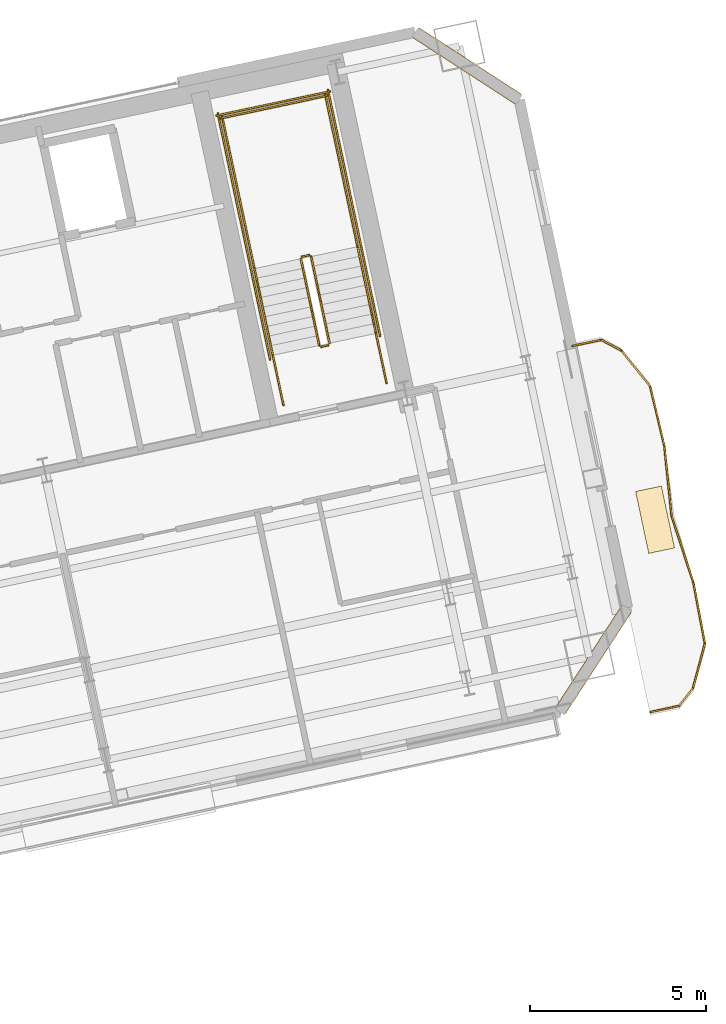
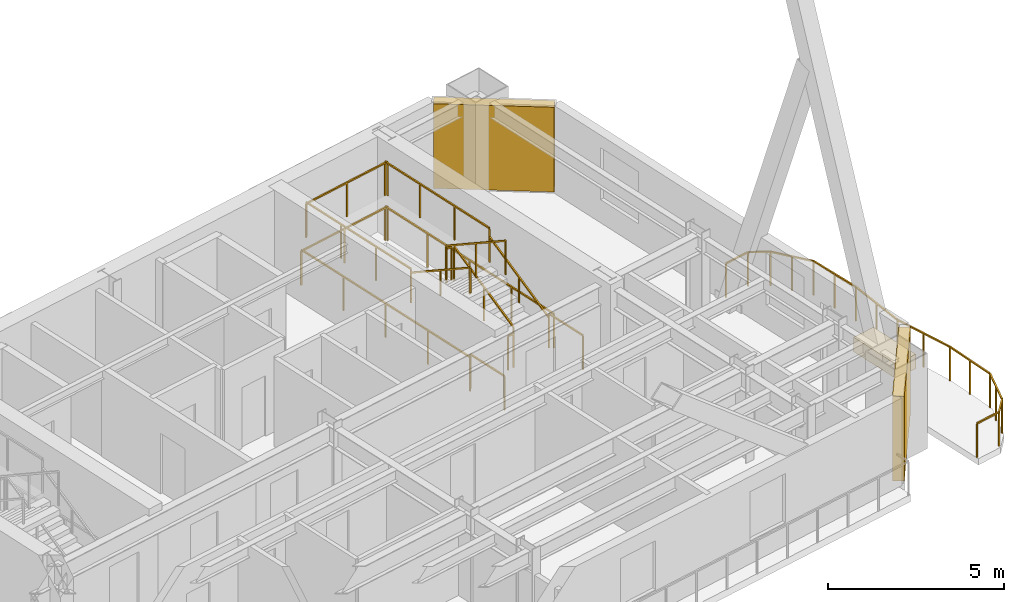
# One storey, part 20 of 20: 24 railings, 2 shading devices, 1 covering.
"""IFC4 building model written with IfcOpenShell, lengths in metres."""

from ifc_helpers import new_model, si_unit, direction, frame, origin, origin_2d, place, context, subcontext, project, spatial, rectangle, extrude, material, layer, layer_set, type_object, element, save


model = new_model("IFC4")

# Units and contexts
model_context = context("Model", 3, precision=1e-05, world=origin(), true_north=direction((0.0, 1.0)))
body_context = subcontext(model_context, "Body", "Model", "MODEL_VIEW")
ifc_project = project(units=[si_unit("LENGTHUNIT", "METRE"), si_unit("AREAUNIT", "SQUARE_METRE"), si_unit("VOLUMEUNIT", "CUBIC_METRE"), si_unit("PLANEANGLEUNIT", "RADIAN"), si_unit("MASSUNIT", "GRAM", prefix="KILO")], contexts=[model_context])

# Site, building, storey
site_placement = place(None, origin())
site = spatial("IfcSite", under=ifc_project, at=site_placement, CompositionType="ELEMENT")
building_placement = place(site_placement, origin())
building = spatial("IfcBuilding", under=site, at=building_placement, Name="Haevon Station Towers", CompositionType="ELEMENT")
storey_placement = place(building_placement, frame((0.0, 0.0, 175.800048828125)))
storey = spatial("IfcBuildingStorey", under=building, at=storey_placement, Name="L48", CompositionType="ELEMENT", Elevation=175.800048828125)

# Railings
ifc_material_1 = material(Name="Steel S355", Category="steel")
railing_type_1 = type_object("IfcRailingType", Name="GRD-EXT1200", PredefinedType="GUARDRAIL", material=ifc_material_1)
railing_1_placement = place(storey_placement, frame((126.25244140625, 32.750244140625, 0.0)))
element("IfcRailing", 1, at=railing_1_placement, inside=storey, type_object=railing_type_1, Name="L48 Perimeter Guardrail 1", PredefinedType="GUARDRAIL", context=body_context, shape_type="SweptSolid", body=[
    extrude(rectangle(XDim=0.048095703125, YDim=0.048095703125, at=origin_2d()), frame((0.0, 0.0, 1.17578125), z_axis=(0.977678572445, 0.210106185017, 0.0), x_axis=(-0.210106185017, 0.977678572445, 0.0)), (0.0, 0.0, 1.0), 0.837890625),
    extrude(rectangle(XDim=0.0419921875, YDim=0.0419921875, at=origin_2d()), origin(), (0.0, 0.0, 1.0), 1.15185546875),
    extrude(rectangle(XDim=0.0419921875, YDim=0.0419921875, at=origin_2d()), frame((0.819091796875, 0.176025390625, 0.0)), (0.0, 0.0, 1.0), 1.15185546875),
])
railing_2_placement = place(storey_placement, frame((127.071533203125, 32.92626953125, 0.0)))
element("IfcRailing", 2, at=railing_2_placement, inside=storey, type_object=railing_type_1, Name="L48 Perimeter Guardrail 2", PredefinedType="GUARDRAIL", context=body_context, shape_type="SweptSolid", body=[
    extrude(rectangle(XDim=0.048095703125, YDim=0.048095703125, at=origin_2d()), frame((0.0, 0.0, 1.17578125), z_axis=(0.616102641883, 0.787665877555, 0.0), x_axis=(-0.787665877555, 0.616102641883, 0.0)), (0.0, 0.0, 1.0), 0.640380859375),
    extrude(rectangle(XDim=0.0419921875, YDim=0.0419921875, at=origin_2d()), origin(), (0.0, 0.0, 1.0), 1.15185546875),
    extrude(rectangle(XDim=0.0419921875, YDim=0.0419921875, at=origin_2d()), frame((0.39453125, 0.50439453125, 0.0)), (0.0, 0.0, 1.0), 1.15185546875),
])
railing_3_placement = place(storey_placement, frame((127.466064453125, 33.4306640625, 0.0)))
element("IfcRailing", 3, at=railing_3_placement, inside=storey, type_object=railing_type_1, Name="L48 Perimeter Guardrail 3", PredefinedType="GUARDRAIL", context=body_context, shape_type="SweptSolid", body=[
    extrude(rectangle(XDim=0.048095703125, YDim=0.048095703125, at=origin_2d()), frame((0.0, 0.0, 1.17578125), z_axis=(0.256967200825, 0.966420124842, 0.0), x_axis=(-0.966420124842, 0.256967200825, 0.0)), (0.0, 0.0, 1.0), 1.31103515625),
    extrude(rectangle(XDim=0.0419921875, YDim=0.0419921875, at=origin_2d()), origin(), (0.0, 0.0, 1.0), 1.15185546875),
    extrude(rectangle(XDim=0.0419921875, YDim=0.0419921875, at=origin_2d()), frame((0.16845703125, 0.633544921875, 0.0)), (0.0, 0.0, 1.0), 1.15185546875),
    extrude(rectangle(XDim=0.0419921875, YDim=0.0419921875, at=origin_2d()), frame((0.3369140625, 1.26708984375, 0.0)), (0.0, 0.0, 1.0), 1.15185546875),
])
railing_4_placement = place(storey_placement, frame((127.802978515625, 34.69775390625, 0.0)))
element("IfcRailing", 4, at=railing_4_placement, inside=storey, type_object=railing_type_1, Name="L48 Perimeter Guardrail 4", PredefinedType="GUARDRAIL", context=body_context, shape_type="SweptSolid", body=[
    extrude(rectangle(XDim=0.048095703125, YDim=0.048095703125, at=origin_2d()), frame((0.0, 0.0, 1.17578125), z_axis=(-0.185072185198, 0.982724929096, 0.0), x_axis=(-0.982724929096, -0.185072185198, 0.0)), (0.0, 0.0, 1.0), 1.749267578125),
    extrude(rectangle(XDim=0.0419921875, YDim=0.0419921875, at=origin_2d()), origin(), (0.0, 0.0, 1.0), 1.15185546875),
    extrude(rectangle(XDim=0.0419921875, YDim=0.0419921875, at=origin_2d()), frame((-0.161865234375, 0.859375, 0.0)), (0.0, 0.0, 1.0), 1.15185546875),
    extrude(rectangle(XDim=0.0419921875, YDim=0.0419921875, at=origin_2d()), frame((-0.32373046875, 1.718994140625, 0.0)), (0.0, 0.0, 1.0), 1.15185546875),
])
railing_5_placement = place(storey_placement, frame((127.479248046875, 36.416748046875, 0.0)))
element("IfcRailing", 5, at=railing_5_placement, inside=storey, type_object=railing_type_1, Name="L48 Perimeter Guardrail 5", PredefinedType="GUARDRAIL", context=body_context, shape_type="SweptSolid", body=[
    extrude(rectangle(XDim=0.048095703125, YDim=0.048095703125, at=origin_2d()), frame((0.0, 0.0, 1.17578125), z_axis=(-0.311505551623, 0.950244332426, 0.0), x_axis=(-0.950244332426, -0.311505551623, 0.0)), (0.0, 0.0, 1.0), 2.00244140625),
    extrude(rectangle(XDim=0.0419921875, YDim=0.0419921875, at=origin_2d()), origin(), (0.0, 0.0, 1.0), 1.15185546875),
    extrude(rectangle(XDim=0.0419921875, YDim=0.0419921875, at=origin_2d()), frame((-0.31201171875, 0.951416015625, 0.0)), (0.0, 0.0, 1.0), 1.15185546875),
    extrude(rectangle(XDim=0.0419921875, YDim=0.0419921875, at=origin_2d()), frame((-0.623779296875, 1.90283203125, 0.0)), (0.0, 0.0, 1.0), 1.15185546875),
])
railing_6_placement = place(storey_placement, frame((126.85546875, 38.319580078125, 0.0)))
element("IfcRailing", 6, at=railing_6_placement, inside=storey, type_object=railing_type_1, Name="L48 Perimeter Guardrail 6", PredefinedType="GUARDRAIL", context=body_context, shape_type="SweptSolid", body=[
    extrude(rectangle(XDim=0.048095703125, YDim=0.048095703125, at=origin_2d()), frame((0.0, 0.0, 1.17578125), z_axis=(-0.101929864835, 0.994791587547, 0.0), x_axis=(-0.994791587547, -0.101929864835, 0.0)), (0.0, 0.0, 1.0), 2.00244140625),
    extrude(rectangle(XDim=0.0419921875, YDim=0.0419921875, at=origin_2d()), origin(), (0.0, 0.0, 1.0), 1.15185546875),
    extrude(rectangle(XDim=0.0419921875, YDim=0.0419921875, at=origin_2d()), frame((-0.10205078125, 0.99609375, 0.0)), (0.0, 0.0, 1.0), 1.15185546875),
    extrude(rectangle(XDim=0.0419921875, YDim=0.0419921875, at=origin_2d()), frame((-0.2041015625, 1.991943359375, 0.0)), (0.0, 0.0, 1.0), 1.15185546875),
])
railing_7_placement = place(storey_placement, frame((126.6513671875, 40.3115234375, 0.0)))
element("IfcRailing", 7, at=railing_7_placement, inside=storey, type_object=railing_type_1, Name="L48 Perimeter Guardrail 7", PredefinedType="GUARDRAIL", context=body_context, shape_type="SweptSolid", body=[
    extrude(rectangle(XDim=0.048095703125, YDim=0.048095703125, at=origin_2d()), frame((0.0, 0.0, 1.17578125), z_axis=(-0.230595075023, 0.973049799021, 0.0), x_axis=(-0.973049799021, -0.230595075023, 0.0)), (0.0, 0.0, 1.0), 1.7490234375),
    extrude(rectangle(XDim=0.0419921875, YDim=0.0419921875, at=origin_2d()), origin(), (0.0, 0.0, 1.0), 1.15185546875),
    extrude(rectangle(XDim=0.0419921875, YDim=0.0419921875, at=origin_2d()), frame((-0.20166015625, 0.85107421875, 0.0)), (0.0, 0.0, 1.0), 1.15185546875),
    extrude(rectangle(XDim=0.0419921875, YDim=0.0419921875, at=origin_2d()), frame((-0.4033203125, 1.701904296875, 0.0)), (0.0, 0.0, 1.0), 1.15185546875),
])
railing_8_placement = place(storey_placement, frame((126.248046875, 42.013427734375, 0.0)))
element("IfcRailing", 8, at=railing_8_placement, inside=storey, type_object=railing_type_1, Name="L48 Perimeter Guardrail 8", PredefinedType="GUARDRAIL", context=body_context, shape_type="SweptSolid", body=[
    extrude(rectangle(XDim=0.048095703125, YDim=0.048095703125, at=origin_2d()), frame((0.0, 0.0, 1.17578125), z_axis=(-0.627777923556, 0.778392496556, 0.0), x_axis=(-0.778392496556, -0.627777923556, 0.0)), (0.0, 0.0, 1.0), 1.311279296875),
    extrude(rectangle(XDim=0.0419921875, YDim=0.0419921875, at=origin_2d()), origin(), (0.0, 0.0, 1.0), 1.15185546875),
    extrude(rectangle(XDim=0.0419921875, YDim=0.0419921875, at=origin_2d()), frame((-0.41162109375, 0.51025390625, 0.0)), (0.0, 0.0, 1.0), 1.15185546875),
    extrude(rectangle(XDim=0.0419921875, YDim=0.0419921875, at=origin_2d()), frame((-0.8232421875, 1.020751953125, 0.0)), (0.0, 0.0, 1.0), 1.15185546875),
])
railing_9_placement = place(storey_placement, frame((125.4248046875, 43.0341796875, 0.0)))
element("IfcRailing", 9, at=railing_9_placement, inside=storey, type_object=railing_type_1, Name="L48 Perimeter Guardrail 9", PredefinedType="GUARDRAIL", context=body_context, shape_type="SweptSolid", body=[
    extrude(rectangle(XDim=0.048095703125, YDim=0.048095703125, at=origin_2d()), frame((0.0, 0.0, 1.17578125), z_axis=(-0.883174960407, 0.469043696589, 0.0), x_axis=(-0.469043696589, -0.883174960407, 0.0)), (0.0, 0.0, 1.0), 0.64013671875),
    extrude(rectangle(XDim=0.0419921875, YDim=0.0419921875, at=origin_2d()), origin(), (0.0, 0.0, 1.0), 1.15185546875),
    extrude(rectangle(XDim=0.0419921875, YDim=0.0419921875, at=origin_2d()), frame((-0.5654296875, 0.30029296875, 0.0)), (0.0, 0.0, 1.0), 1.15185546875),
])
railing_10_placement = place(storey_placement, frame((124.859375, 43.33447265625, 0.0)))
element("IfcRailing", 10, at=railing_10_placement, inside=storey, type_object=railing_type_1, Name="L48 Perimeter Guardrail 10", PredefinedType="GUARDRAIL", context=body_context, shape_type="SweptSolid", body=[
    extrude(rectangle(XDim=0.048095703125, YDim=0.048095703125, at=origin_2d()), frame((0.0, 0.0, 1.17578125), z_axis=(-0.978617737227, -0.20568744343, 0.0), x_axis=(0.20568744343, -0.978617737227, 0.0)), (0.0, 0.0, 1.0), 0.837890625),
    extrude(rectangle(XDim=0.0419921875, YDim=0.0419921875, at=origin_2d()), origin(), (0.0, 0.0, 1.0), 1.15185546875),
    extrude(rectangle(XDim=0.0419921875, YDim=0.0419921875, at=origin_2d()), frame((-0.820068359375, -0.17236328125, 0.0)), (0.0, 0.0, 1.0), 1.15185546875),
])
railing_type_2 = type_object("IfcRailingType", Name="GRD-STR1200", PredefinedType="GUARDRAIL", material=ifc_material_1)
railing_11_placement = place(storey_placement, frame((117.128662109375, 43.23974609375, 0.1650390625)))
element("IfcRailing", 11, at=railing_11_placement, inside=storey, type_object=railing_type_2, Name="L48 ST4 Stair Guard 1", PredefinedType="GUARDRAIL", context=body_context, shape_type="SweptSolid", body=[
    extrude(rectangle(XDim=0.048095703125, YDim=0.048095703125, at=origin_2d()), frame((0.0, 0.0, 1.17578125), z_axis=(-0.179128856099, 0.842723639875, 0.507670877349), x_axis=(-0.978147030254, -0.207914374695, 0.0)), (0.0, 0.0, 1.0), 2.9248046875),
    extrude(rectangle(XDim=0.0419921875, YDim=0.0419921875, at=origin_2d()), origin(), (0.0, 0.0, 1.0), 1.15185546875),
    extrude(rectangle(XDim=0.0419921875, YDim=0.0419921875, at=origin_2d()), frame((-0.261962890625, 1.232421875, 0.742431640625)), (0.0, 0.0, 1.0), 1.15185546875),
    extrude(rectangle(XDim=0.0419921875, YDim=0.0419921875, at=origin_2d()), frame((-0.52392578125, 2.46484375, 1.48486328125)), (0.0, 0.0, 1.0), 1.15185546875),
])
railing_12_placement = place(storey_placement, frame((116.54541015625, 45.7431640625, 1.64990234375)))
element("IfcRailing", 12, at=railing_12_placement, inside=storey, type_object=railing_type_2, Name="L48 ST4 Stair Guard 2", PredefinedType="GUARDRAIL", context=body_context, shape_type="SweptSolid", body=[
    extrude(rectangle(XDim=0.048095703125, YDim=0.048095703125, at=origin_2d()), frame((0.0, 0.0, 1.17578125), z_axis=(-0.97826412705, -0.207362720198, 0.0), x_axis=(0.207362720198, -0.97826412705, 0.0)), (0.0, 0.0, 1.0), 0.2001953125),
    extrude(rectangle(XDim=0.0419921875, YDim=0.0419921875, at=origin_2d()), origin(), (0.0, 0.0, 1.0), 1.15185546875),
    extrude(rectangle(XDim=0.0419921875, YDim=0.0419921875, at=origin_2d()), frame((-0.19580078125, -0.04150390625, 0.0)), (0.0, 0.0, 1.0), 1.15185546875),
])
railing_13_placement = place(storey_placement, frame((117.925048828125, 45.9853515625, 1.64990234375)))
element("IfcRailing", 13, at=railing_13_placement, inside=storey, type_object=railing_type_2, Name="L48 ST4 Stair Guard 3", PredefinedType="GUARDRAIL", context=body_context, shape_type="SweptSolid", body=[
    extrude(rectangle(XDim=0.048095703125, YDim=0.048095703125, at=origin_2d()), frame((0.0, 0.0, 1.17578125), z_axis=(-0.207876551949, 0.978155069071, 0.0), x_axis=(-0.978155069071, -0.207876551949, 0.0)), (0.0, 0.0, 1.0), 4.429931640625),
    extrude(rectangle(XDim=0.0419921875, YDim=0.0419921875, at=origin_2d()), origin(), (0.0, 0.0, 1.0), 1.15185546875),
    extrude(rectangle(XDim=0.0419921875, YDim=0.0419921875, at=origin_2d()), frame((-0.306884765625, 1.4443359375, 0.0)), (0.0, 0.0, 1.0), 1.15185546875),
    extrude(rectangle(XDim=0.0419921875, YDim=0.0419921875, at=origin_2d()), frame((-0.614013671875, 2.888916015625, 0.0)), (0.0, 0.0, 1.0), 1.15185546875),
    extrude(rectangle(XDim=0.0419921875, YDim=0.0419921875, at=origin_2d()), frame((-0.9208984375, 4.333251953125, 0.0)), (0.0, 0.0, 1.0), 1.15185546875),
])
railing_14_placement = place(storey_placement, frame((114.99072265625, 45.361572265625, 1.64990234375)))
element("IfcRailing", 14, at=railing_14_placement, inside=storey, type_object=railing_type_2, Name="L48 ST4 Stair Guard 4", PredefinedType="GUARDRAIL", context=body_context, shape_type="SweptSolid", body=[
    extrude(rectangle(XDim=0.048095703125, YDim=0.048095703125, at=origin_2d()), frame((0.0, 0.0, 1.17578125), z_axis=(-0.207929280007, 0.978143861871, 0.0), x_axis=(-0.978143861871, -0.207929280007, 0.0)), (0.0, 0.0, 1.0), 4.43017578125),
    extrude(rectangle(XDim=0.0419921875, YDim=0.0419921875, at=origin_2d()), origin(), (0.0, 0.0, 1.0), 1.15185546875),
    extrude(rectangle(XDim=0.0419921875, YDim=0.0419921875, at=origin_2d()), frame((-0.30712890625, 1.4443359375, 0.0)), (0.0, 0.0, 1.0), 1.15185546875),
    extrude(rectangle(XDim=0.0419921875, YDim=0.0419921875, at=origin_2d()), frame((-0.614013671875, 2.888916015625, 0.0)), (0.0, 0.0, 1.0), 1.15185546875),
    extrude(rectangle(XDim=0.0419921875, YDim=0.0419921875, at=origin_2d()), frame((-0.921142578125, 4.333251953125, 0.0)), (0.0, 0.0, 1.0), 1.15185546875),
])
railing_15_placement = place(storey_placement, frame((117.0634765625, 50.280029296875, 1.64990234375)))
element("IfcRailing", 15, at=railing_15_placement, inside=storey, type_object=railing_type_2, Name="L48 ST4 Stair Guard 5", PredefinedType="GUARDRAIL", context=body_context, shape_type="SweptSolid", body=[
    extrude(rectangle(XDim=0.048095703125, YDim=0.048095703125, at=origin_2d()), frame((0.0, 0.0, 1.17578125), z_axis=(-0.978146839882, -0.207915270313, 0.0), x_axis=(0.207915270313, -0.978146839882, 0.0)), (0.0, 0.0, 1.0), 3.099853515625),
    extrude(rectangle(XDim=0.0419921875, YDim=0.0419921875, at=origin_2d()), origin(), (0.0, 0.0, 1.0), 1.15185546875),
    extrude(rectangle(XDim=0.0419921875, YDim=0.0419921875, at=origin_2d()), frame((-1.51611328125, -0.322265625, 0.0)), (0.0, 0.0, 1.0), 1.15185546875),
    extrude(rectangle(XDim=0.0419921875, YDim=0.0419921875, at=origin_2d()), frame((-3.0322265625, -0.64453125, 0.0)), (0.0, 0.0, 1.0), 1.15185546875),
])
railing_16_placement = place(storey_placement, frame((116.311279296875, 45.642333984375, 1.81494140625)))
element("IfcRailing", 16, at=railing_16_placement, inside=storey, type_object=railing_type_2, Name="L48 ST4 Stair Guard 6", PredefinedType="GUARDRAIL", context=body_context, shape_type="SweptSolid", body=[
    extrude(rectangle(XDim=0.048095703125, YDim=0.048095703125, at=origin_2d()), frame((0.0, 0.0, 1.17578125), z_axis=(0.179108667068, -0.842712120868, 0.50769712105), x_axis=(0.978151217824, 0.207894673017, 0.0)), (0.0, 0.0, 1.0), 2.92529296875),
    extrude(rectangle(XDim=0.0419921875, YDim=0.0419921875, at=origin_2d()), origin(), (0.0, 0.0, 1.0), 1.15185546875),
    extrude(rectangle(XDim=0.0419921875, YDim=0.0419921875, at=origin_2d()), frame((0.261962890625, -1.232421875, 0.74267578125)), (0.0, 0.0, 1.0), 1.15185546875),
    extrude(rectangle(XDim=0.0419921875, YDim=0.0419921875, at=origin_2d()), frame((0.52392578125, -2.465087890625, 1.485107421875)), (0.0, 0.0, 1.0), 1.15185546875),
])
railing_17_placement = place(storey_placement, frame((117.090087890625, 43.180419921875, 0.0)))
element("IfcRailing", 17, at=railing_17_placement, inside=storey, type_object=railing_type_2, Name="L48 ST4 Stair Guard 7", PredefinedType="GUARDRAIL", context=body_context, shape_type="SweptSolid", body=[
    extrude(rectangle(XDim=0.048095703125, YDim=0.048095703125, at=origin_2d()), frame((0.0, 0.0, 1.17578125), z_axis=(-0.978211583308, -0.207610448392, 0.0), x_axis=(0.207610448392, -0.978211583308, 0.0)), (0.0, 0.0, 1.0), 0.199951171875),
    extrude(rectangle(XDim=0.0419921875, YDim=0.0419921875, at=origin_2d()), origin(), (0.0, 0.0, 1.0), 1.15185546875),
    extrude(rectangle(XDim=0.0419921875, YDim=0.0419921875, at=origin_2d()), frame((-0.195556640625, -0.04150390625, 0.0)), (0.0, 0.0, 1.0), 1.15185546875),
])
for number, where, name in (
    (18, (118.75048828125, 42.10205078125, 0.0), "L48 ST4 Stair Guard 8"),
    (19, (115.816162109375, 41.478271484375, 0.0), "L48 ST4 Stair Guard 9"),
):
    element("IfcRailing", number, at=place(storey_placement, frame(where)), inside=storey, type_object=railing_type_2, Name=name, PredefinedType="GUARDRAIL", context=body_context, shape_type="SweptSolid", body=[
        extrude(rectangle(XDim=0.048095703125, YDim=0.048095703125, at=origin_2d()), frame((0.0, 0.0, 1.17578125), z_axis=(-0.207919161079, 0.978146012851, 0.0), x_axis=(-0.978146012851, -0.207919161079, 0.0)), (0.0, 0.0, 1.0), 1.4501953125),
        extrude(rectangle(XDim=0.0419921875, YDim=0.0419921875, at=origin_2d()), origin(), (0.0, 0.0, 1.0), 1.15185546875),
        extrude(rectangle(XDim=0.0419921875, YDim=0.0419921875, at=origin_2d()), frame((-0.301513671875, 1.41845703125, 0.0)), (0.0, 0.0, 1.0), 1.15185546875),
    ])
railing_18_placement = place(storey_placement, frame((118.567626953125, 43.443359375, 0.0)))
element("IfcRailing", 20, at=railing_18_placement, inside=storey, type_object=railing_type_2, Name="L48 ST4 Stair Guard 10", PredefinedType="GUARDRAIL", context=body_context, shape_type="SweptSolid", body=[
    extrude(rectangle(XDim=0.048095703125, YDim=0.048095703125, at=origin_2d()), frame((0.0, 0.0, 1.17578125), z_axis=(-0.207908168386, 0.978148349443, 0.0), x_axis=(-0.978148349443, -0.207908168386, 0.0)), (0.0, 0.0, 1.0), 7.150146484375),
    extrude(rectangle(XDim=0.0419921875, YDim=0.0419921875, at=origin_2d()), origin(), (0.0, 0.0, 1.0), 1.15185546875),
    extrude(rectangle(XDim=0.0419921875, YDim=0.0419921875, at=origin_2d()), frame((-0.37158203125, 1.74853515625, 0.0)), (0.0, 0.0, 1.0), 1.15185546875),
    extrude(rectangle(XDim=0.0419921875, YDim=0.0419921875, at=origin_2d()), frame((-0.7431640625, 3.4970703125, 0.0)), (0.0, 0.0, 1.0), 1.15185546875),
    extrude(rectangle(XDim=0.0419921875, YDim=0.0419921875, at=origin_2d()), frame((-1.114990234375, 5.245361328125, 0.0)), (0.0, 0.0, 1.0), 1.15185546875),
    extrude(rectangle(XDim=0.0419921875, YDim=0.0419921875, at=origin_2d()), frame((-1.486572265625, 6.993896484375, 0.0)), (0.0, 0.0, 1.0), 1.15185546875),
])
railing_19_placement = place(storey_placement, frame((115.4375, 42.778076171875, 0.0)))
element("IfcRailing", 21, at=railing_19_placement, inside=storey, type_object=railing_type_2, Name="L48 ST4 Stair Guard 11", PredefinedType="GUARDRAIL", context=body_context, shape_type="SweptSolid", body=[
    extrude(rectangle(XDim=0.048095703125, YDim=0.048095703125, at=origin_2d()), frame((0.0, 0.0, 1.17578125), z_axis=(-0.207882442208, 0.978153817261, 0.0), x_axis=(-0.978153817261, -0.207882442208, 0.0)), (0.0, 0.0, 1.0), 7.14990234375),
    extrude(rectangle(XDim=0.0419921875, YDim=0.0419921875, at=origin_2d()), origin(), (0.0, 0.0, 1.0), 1.15185546875),
    extrude(rectangle(XDim=0.0419921875, YDim=0.0419921875, at=origin_2d()), frame((-0.37158203125, 1.74853515625, 0.0)), (0.0, 0.0, 1.0), 1.15185546875),
    extrude(rectangle(XDim=0.0419921875, YDim=0.0419921875, at=origin_2d()), frame((-0.7431640625, 3.496826171875, 0.0)), (0.0, 0.0, 1.0), 1.15185546875),
    extrude(rectangle(XDim=0.0419921875, YDim=0.0419921875, at=origin_2d()), frame((-1.11474609375, 5.2451171875, 0.0)), (0.0, 0.0, 1.0), 1.15185546875),
    extrude(rectangle(XDim=0.0419921875, YDim=0.0419921875, at=origin_2d()), frame((-1.486328125, 6.99365234375, 0.0)), (0.0, 0.0, 1.0), 1.15185546875),
])
railing_20_placement = place(storey_placement, frame((117.140380859375, 50.398681640625, 0.0)))
element("IfcRailing", 22, at=railing_20_placement, inside=storey, type_object=railing_type_2, Name="L48 ST4 Stair Guard 12", PredefinedType="GUARDRAIL", context=body_context, shape_type="SweptSolid", body=[
    extrude(rectangle(XDim=0.048095703125, YDim=0.048095703125, at=origin_2d()), frame((0.0, 0.0, 1.17578125), z_axis=(-0.978135717418, -0.207967589567, 0.0), x_axis=(0.207967589567, -0.978135717418, 0.0)), (0.0, 0.0, 1.0), 3.300048828125),
    extrude(rectangle(XDim=0.0419921875, YDim=0.0419921875, at=origin_2d()), origin(), (0.0, 0.0, 1.0), 1.15185546875),
    extrude(rectangle(XDim=0.0419921875, YDim=0.0419921875, at=origin_2d()), frame((-1.61376953125, -0.34326171875, 0.0)), (0.0, 0.0, 1.0), 1.15185546875),
    extrude(rectangle(XDim=0.0419921875, YDim=0.0419921875, at=origin_2d()), frame((-3.227783203125, -0.686279296875, 0.0)), (0.0, 0.0, 1.0), 1.15185546875),
])
railing_type_3 = type_object("IfcRailingType", Name="HND-STR900", PredefinedType="HANDRAIL", material=ifc_material_1)
railing_21_placement = place(storey_placement, frame((118.448974609375, 43.5205078125, 0.1650390625)))
element("IfcRailing", 23, at=railing_21_placement, inside=storey, type_object=railing_type_3, Name="L48 ST4 Stair Handrail 1", PredefinedType="HANDRAIL", context=body_context, shape_type="SweptSolid", body=[
    extrude(rectangle(XDim=0.048095703125, YDim=0.048095703125, at=origin_2d()), frame((0.0, 0.0, 0.8759765625), z_axis=(-0.179128856099, 0.842723639875, 0.507670877349), x_axis=(-0.978147030254, -0.207914374695, 0.0)), (0.0, 0.0, 1.0), 2.9248046875),
    extrude(rectangle(XDim=0.0419921875, YDim=0.0419921875, at=origin_2d()), origin(), (0.0, 0.0, 1.0), 0.851806640625),
    extrude(rectangle(XDim=0.0419921875, YDim=0.0419921875, at=origin_2d()), frame((-0.261962890625, 1.232421875, 0.742431640625)), (0.0, 0.0, 1.0), 0.851806640625),
    extrude(rectangle(XDim=0.0419921875, YDim=0.0419921875, at=origin_2d()), frame((-0.52392578125, 2.46484375, 1.48486328125)), (0.0, 0.0, 1.0), 0.851806640625),
])
railing_22_placement = place(storey_placement, frame((114.99072265625, 45.361572265625, 1.81494140625)))
element("IfcRailing", 24, at=railing_22_placement, inside=storey, type_object=railing_type_3, Name="L48 ST4 Stair Handrail 2", PredefinedType="HANDRAIL", context=body_context, shape_type="SweptSolid", body=[
    extrude(rectangle(XDim=0.048095703125, YDim=0.048095703125, at=origin_2d()), frame((0.0, 0.0, 0.8759765625), z_axis=(0.179121265225, -0.842687928106, 0.507732831485), x_axis=(0.978147030254, 0.207914374695, 0.0)), (0.0, 0.0, 1.0), 2.925048828125),
    extrude(rectangle(XDim=0.0419921875, YDim=0.0419921875, at=origin_2d()), origin(), (0.0, 0.0, 1.0), 0.851806640625),
    extrude(rectangle(XDim=0.0419921875, YDim=0.0419921875, at=origin_2d()), frame((0.261962890625, -1.232421875, 0.74267578125)), (0.0, 0.0, 1.0), 0.851806640625),
    extrude(rectangle(XDim=0.0419921875, YDim=0.0419921875, at=origin_2d()), frame((0.52392578125, -2.46484375, 1.485107421875)), (0.0, 0.0, 1.0), 0.851806640625),
])

# Covering
ifc_material_2 = material(Name="Architectural planter GRC", Category="concrete")
ifc_layer_1 = layer(ifc_material_2, 0.550048828125)
ifc_layer_set_1 = layer_set([ifc_layer_1], Name="Architectural planter GRC")
covering_type = type_object("IfcCoveringType", Name="PLN-GRC550", PredefinedType="MOLDING", material=ifc_layer_set_1)
covering_placement = place(storey_placement, frame((126.38720703125, 38.219970703125, 0.0), z_axis=(0.0, 0.0, 1.0), x_axis=(0.978147600734, 0.207911690818, 0.0)))
element("IfcCovering", 25, at=covering_placement, inside=storey, type_object=covering_type, Name="Tower 2 L48 Scalloped Balcony PLANTER", PredefinedType="MOLDING", context=body_context, shape_type="SweptSolid", body=[
    extrude(rectangle(XDim=0.75, YDim=1.800048828125, at=origin_2d()), origin(), (0.0, 0.0, 1.0), 0.5),
])

# Shading devices
ifc_material_3 = material(Name="Anodised aluminium 6063-T6", Category="aluminium")
ifc_layer_2 = layer(ifc_material_3, 0.139892578125)
ifc_layer_set_2 = layer_set([ifc_layer_2], Name="Anodised aluminium 6063-T6")
shading_device_type = type_object("IfcShadingDeviceType", Name="SHD-WIND-BAFFLE", PredefinedType="SHUTTER", material=ifc_layer_set_2)
for number, where, z_axis, x_axis, name in (
    (26, (121.04443359375, 51.126220703125, 0.0498046875), (0.0, 0.0, 1.0), (0.838670648839, -0.544638910449, 0.0), "Tower 2 L48 Wind-Corner Aerofoil Baffle NEC"),
    (27, (124.635009765625, 34.233642578125, 0.0498046875), (0.0, 0.0, 1.0), (-0.544638980197, -0.838670603544, 0.0), "Tower 2 L48 Wind-Corner Aerofoil Baffle SEC"),
):
    element("IfcShadingDevice", number, at=place(storey_placement, frame(where, z_axis=z_axis, x_axis=x_axis)), inside=storey, type_object=shading_device_type, Name=name, PredefinedType="SHUTTER", context=body_context, shape_type="SweptSolid", body=[
        extrude(rectangle(XDim=3.435546875, YDim=0.340087890625, at=origin_2d()), origin(), (0.0, 0.0, 1.0), 2.929931640625),
    ])

save(model, "model.ifc")
